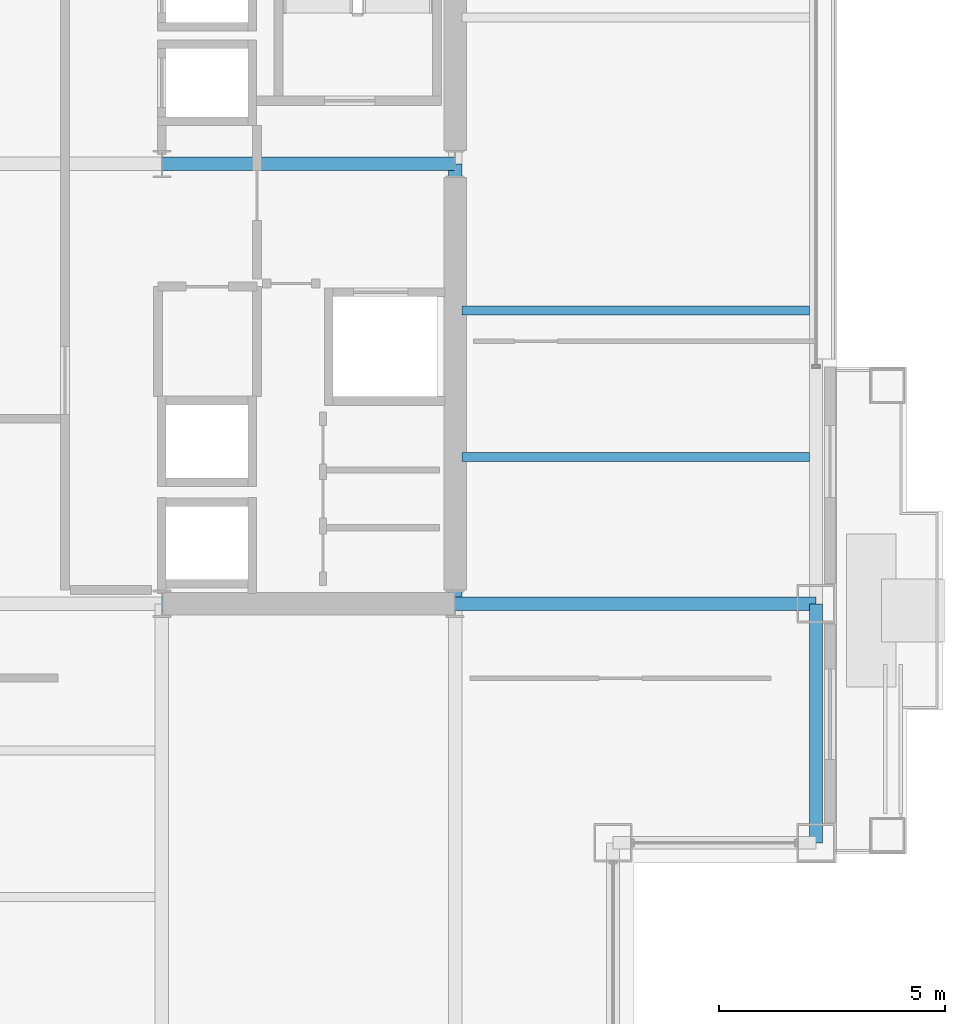
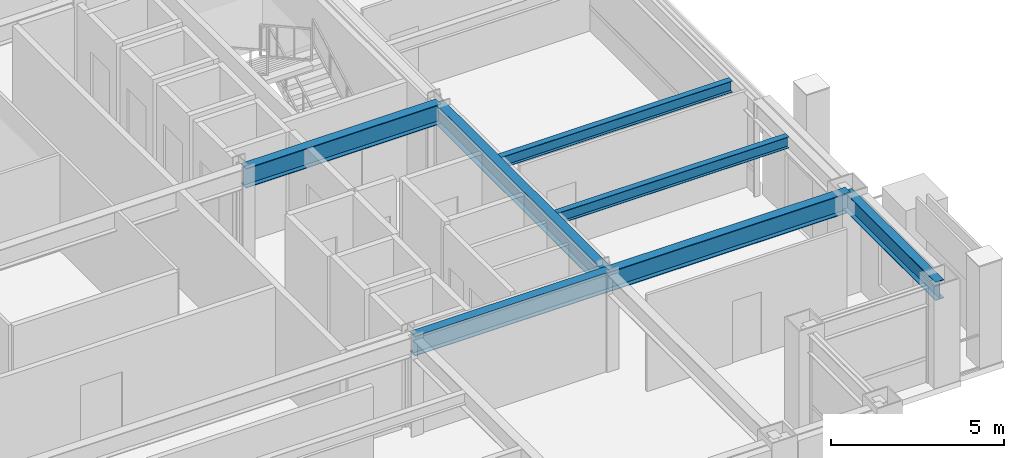
# One storey, part 13 of 32: 7 beams.
"""IFC4 building model written with IfcOpenShell, lengths in metres."""

from ifc_helpers import new_model, si_unit, direction, frame, origin, origin_2d, place, context, subcontext, project, spatial, i_section, extrude, material, material_profile, profile_set, type_object, element, save


model = new_model("IFC4")

# Units and contexts
model_context = context("Model", 3, precision=1e-05, world=origin(), true_north=direction((0.0, 1.0)))
body_context = subcontext(model_context, "Body", "Model", "MODEL_VIEW")
ifc_project = project(units=[si_unit("LENGTHUNIT", "METRE"), si_unit("AREAUNIT", "SQUARE_METRE"), si_unit("VOLUMEUNIT", "CUBIC_METRE"), si_unit("PLANEANGLEUNIT", "RADIAN"), si_unit("MASSUNIT", "GRAM", prefix="KILO")], contexts=[model_context])

# Site, building, storey
site_placement = place(None, origin())
site = spatial("IfcSite", under=ifc_project, at=site_placement, CompositionType="ELEMENT")
building_placement = place(site_placement, origin())
building = spatial("IfcBuilding", under=site, at=building_placement, Name="Brelmoor Portico Tower", CompositionType="ELEMENT")
storey_placement = place(building_placement, frame((0.0, 0.0, 109.800048828125)))
storey = spatial("IfcBuildingStorey", under=building, at=storey_placement, Name="L28", CompositionType="ELEMENT", Elevation=109.800048828125)

# Beams
ifc_material = material(Name="Steel Q355B", Category="steel")
ifc_material_profile_1 = material_profile(ifc_material, i_section(OverallWidth=0.199951171875, OverallDepth=0.39990234375, WebThickness=0.008056640625, FlangeThickness=0.012939453125, at=origin_2d()), Name="HN 400x200x8x13")
ifc_profile_set_1 = profile_set([ifc_material_profile_1], Name="Steel Q355B")
beam_type_1 = type_object("IfcBeamType", Name="BM-JS-400", PredefinedType="JOIST", material=ifc_profile_set_1)
for number, where, z_axis, x_axis, name in (
    (1, (14.699951171875, -6.5, 3.199951171875), (1.0, 0.0, 0.0), (0.0, 1.0, 0.0), "L28 Secondary Wing Joist JS-E09"),
    (2, (14.699951171875, -3.25, 3.199951171875), (1.0, 0.0, 0.0), (0.0, 1.0, 0.0), "L28 Secondary Wing Joist JS-E10"),
):
    element("IfcBeam", number, at=place(storey_placement, frame(where, z_axis=z_axis, x_axis=x_axis)), inside=storey, type_object=beam_type_1, Name=name, PredefinedType="JOIST", context=body_context, shape_type="SweptSolid", body=[
        extrude(i_section(OverallWidth=0.199951171875, OverallDepth=0.39990234375, WebThickness=0.008056640625, FlangeThickness=0.012939453125, at=origin_2d()), origin(), (0.0, 0.0, 1.0), 7.7099609375),
    ])
ifc_material_profile_2 = material_profile(ifc_material, i_section(OverallWidth=0.300048828125, OverallDepth=0.699951171875, WebThickness=0.012939453125, FlangeThickness=0.02392578125, at=origin_2d()), Name="HN 700x300x13x24")
ifc_profile_set_2 = profile_set([ifc_material_profile_2], Name="Steel Q355B")
beam_type_2 = type_object("IfcBeamType", Name="BM-PG-700", PredefinedType="BEAM", material=ifc_profile_set_2)
beam_1_placement = place(storey_placement, frame((14.550048828125, -9.75, 3.050048828125), z_axis=(0.0, 1.0, 0.0), x_axis=(-1.0, 0.0, 0.0)))
element("IfcBeam", 3, at=beam_1_placement, inside=storey, type_object=beam_type_2, Name="L28 Primary Floor Girder PG-11", PredefinedType="BEAM", context=body_context, shape_type="SweptSolid", body=[
    extrude(i_section(OverallWidth=0.300048828125, OverallDepth=0.699951171875, WebThickness=0.012939453125, FlangeThickness=0.02392578125, at=origin_2d()), origin(), (0.0, 0.0, 1.0), 9.75),
])
beam_2_placement = place(storey_placement, frame((8.050048828125, -9.75, 3.050048828125), z_axis=(1.0, 0.0, 0.0), x_axis=(0.0, 1.0, 0.0)))
element("IfcBeam", 4, at=beam_2_placement, inside=storey, type_object=beam_type_2, Name="L28 Primary Floor Girder PG-17", PredefinedType="BEAM", context=body_context, shape_type="SweptSolid", body=[
    extrude(i_section(OverallWidth=0.300048828125, OverallDepth=0.699951171875, WebThickness=0.012939453125, FlangeThickness=0.02392578125, at=origin_2d()), origin(), (0.0, 0.0, 1.0), 6.5),
])
beam_3_placement = place(storey_placement, frame((14.550048828125, -9.75, 3.050048828125), z_axis=(1.0, 0.0, 0.0), x_axis=(0.0, 1.0, 0.0)))
element("IfcBeam", 5, at=beam_3_placement, inside=storey, type_object=beam_type_2, Name="L28 Primary Floor Girder PG-18", PredefinedType="BEAM", context=body_context, shape_type="SweptSolid", body=[
    extrude(i_section(OverallWidth=0.300048828125, OverallDepth=0.699951171875, WebThickness=0.012939453125, FlangeThickness=0.02392578125, at=origin_2d()), origin(), (0.0, 0.0, 1.0), 8.0),
])
beam_4_placement = place(storey_placement, frame((8.050048828125, 0.0, 3.050048828125), z_axis=(1.0, 0.0, 0.0), x_axis=(0.0, 1.0, 0.0)))
element("IfcBeam", 6, at=beam_4_placement, inside=storey, type_object=beam_type_2, Name="L28 Primary Floor Girder PG-21", PredefinedType="BEAM", context=body_context, shape_type="SweptSolid", body=[
    extrude(i_section(OverallWidth=0.300048828125, OverallDepth=0.699951171875, WebThickness=0.012939453125, FlangeThickness=0.02392578125, at=origin_2d()), origin(), (0.0, 0.0, 1.0), 6.5),
])
ifc_material_profile_3 = material_profile(ifc_material, i_section(OverallWidth=0.280029296875, OverallDepth=0.64990234375, WebThickness=0.012939453125, FlangeThickness=0.02197265625, at=origin_2d()), Name="HN 650x280x13x22")
ifc_profile_set_3 = profile_set([ifc_material_profile_3], Name="Steel Q355B")
beam_type_3 = type_object("IfcBeamType", Name="BM-SP-650", PredefinedType="SPANDREL", material=ifc_profile_set_3)
beam_5_placement = place(storey_placement, frame((22.550048828125, -15.050048828125, 3.074951171875), z_axis=(0.0, 1.0, 0.0), x_axis=(-1.0, 0.0, 0.0)))
element("IfcBeam", 7, at=beam_5_placement, inside=storey, type_object=beam_type_3, Name="L28 Perimeter Spandrel Beam SP-22", PredefinedType="SPANDREL", context=body_context, shape_type="SweptSolid", body=[
    extrude(i_section(OverallWidth=0.280029296875, OverallDepth=0.64990234375, WebThickness=0.012939453125, FlangeThickness=0.02197265625, at=origin_2d()), origin(), (0.0, 0.0, 1.0), 5.300048828125),
])

save(model, "model.ifc")
